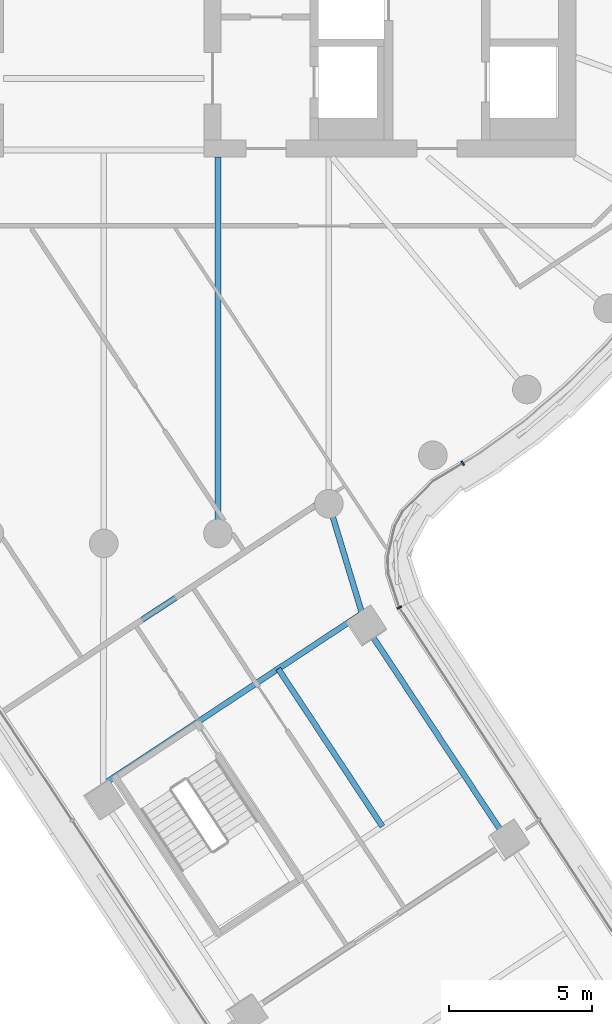
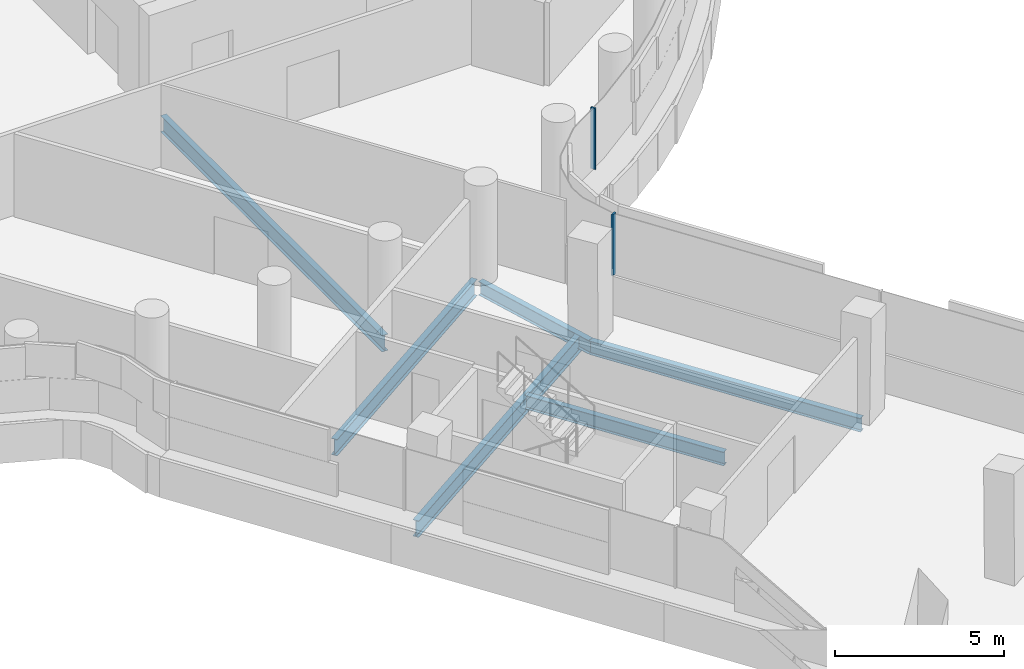
# One storey, part 7 of 35: 6 beams, 2 members, 1 element without a shape of its own.
"""IFC4 building model written with IfcOpenShell, lengths in metres."""

from ifc_helpers import new_model, si_unit, direction, frame, origin, origin_2d, place, context, subcontext, project, spatial, rectangle, i_section, extrude, material, layer, layer_set, material_profile, profile_set, type_object, element, aggregate, save


model = new_model("IFC4")

# Units and contexts
model_context = context("Model", 3, precision=1e-05, world=origin(), true_north=direction((0.0, 1.0)))
body_context = subcontext(model_context, "Body", "Model", "MODEL_VIEW")
ifc_project = project(units=[si_unit("LENGTHUNIT", "METRE"), si_unit("AREAUNIT", "SQUARE_METRE"), si_unit("VOLUMEUNIT", "CUBIC_METRE"), si_unit("PLANEANGLEUNIT", "RADIAN"), si_unit("MASSUNIT", "GRAM", prefix="KILO")], contexts=[model_context])

# Site, building, storey
site_placement = place(None, origin())
site = spatial("IfcSite", under=ifc_project, at=site_placement, CompositionType="ELEMENT")
building_placement = place(site_placement, origin())
building = spatial("IfcBuilding", under=site, at=building_placement, Name="Tamarind Cross Interchange Tower", CompositionType="ELEMENT")
storey_placement = place(building_placement, frame((0.0, 0.0, 155.5)))
storey = spatial("IfcBuildingStorey", under=building, at=storey_placement, Name="L38", CompositionType="ELEMENT", Elevation=155.5)

# Beams
ifc_material_1 = material(Name="Steel Q355B", Category="steel")
ifc_material_profile_1 = material_profile(ifc_material_1, i_section(OverallWidth=0.198974609375, OverallDepth=0.49609375, WebThickness=0.009033203125, FlangeThickness=0.013916015625, FilletRadius=0.012939453125, at=origin_2d()), Name="HN 496x199x9x14")
ifc_profile_set_1 = profile_set([ifc_material_profile_1], Name="Steel Q355B")
beam_type_1 = type_object("IfcBeamType", Name="Composite beam HN 496x199x9x14 Q355B", PredefinedType="BEAM", material=ifc_profile_set_1)
beam_1_placement = place(storey_placement, frame((14.12158203125, -33.406982421875, -0.387939453125), z_axis=(-0.550969936859, 0.8345250917, 0.0), x_axis=(-0.8345250917, -0.550969936859, 0.0)))
element("IfcBeam", 1, at=beam_1_placement, inside=storey, type_object=beam_type_1, Name="Beam S-edgeep3", PredefinedType="BEAM", context=body_context, shape_type="SweptSolid", body=[
    extrude(i_section(OverallWidth=0.198974609375, OverallDepth=0.49609375, WebThickness=0.009033203125, FlangeThickness=0.013916015625, FilletRadius=0.012939453125, at=origin_2d()), origin(), (0.0, 0.0, 1.0), 9.0),
])
beam_2_placement = place(storey_placement, frame((9.162841796875, -25.896240234375, -0.387939453125), z_axis=(-0.28968940684, 0.957120706894, 0.0), x_axis=(-0.957120706894, -0.28968940684, 0.0)))
element("IfcBeam", 2, at=beam_2_placement, inside=storey, type_object=beam_type_1, Name="Beam S-linkep", PredefinedType="BEAM", context=body_context, shape_type="SweptSolid", body=[
    extrude(i_section(OverallWidth=0.198974609375, OverallDepth=0.49609375, WebThickness=0.009033203125, FlangeThickness=0.013916015625, FilletRadius=0.012939453125, at=origin_2d()), origin(), (0.0, 0.0, 1.0), 4.47509765625),
])
beam_3_placement = place(storey_placement, frame((6.098388671875, -27.380126953125, -0.387939453125), z_axis=(0.550964333984, -0.834528790802, 0.0), x_axis=(0.834528790802, 0.550964333984, 0.0)))
element("IfcBeam", 3, at=beam_3_placement, inside=storey, type_object=beam_type_1, Name="Beam S-stripp", PredefinedType="BEAM", context=body_context, shape_type="SweptSolid", body=[
    extrude(i_section(OverallWidth=0.198974609375, OverallDepth=0.49609375, WebThickness=0.009033203125, FlangeThickness=0.013916015625, FilletRadius=0.012939453125, at=origin_2d()), origin(), (0.0, 0.0, 1.0), 6.60009765625),
])
ifc_material_profile_2 = material_profile(ifc_material_1, i_section(OverallWidth=0.198974609375, OverallDepth=0.595947265625, WebThickness=0.010009765625, FlangeThickness=0.014892578125, FilletRadius=0.012939453125, at=origin_2d()), Name="HN 596x199x10x15")
ifc_profile_set_2 = profile_set([ifc_material_profile_2], Name="Steel Q355B")
beam_type_2 = type_object("IfcBeamType", Name="Composite beam HN 596x199x10x15 Q355B", PredefinedType="BEAM", material=ifc_profile_set_2)
beam_4_placement = place(storey_placement, frame((3.993896484375, -22.650634765625, -0.43798828125), z_axis=(0.0, 1.0, 0.0), x_axis=(-1.0, 0.0, 0.0)))
element("IfcBeam", 4, at=beam_4_placement, inside=storey, type_object=beam_type_2, Name="Beam HH28", PredefinedType="BEAM", context=body_context, shape_type="SweptSolid", body=[
    extrude(i_section(OverallWidth=0.198974609375, OverallDepth=0.595947265625, WebThickness=0.010009765625, FlangeThickness=0.014892578125, FilletRadius=0.012939453125, at=origin_2d()), origin(), (0.0, 0.0, 1.0), 13.150634765625),
])
ifc_material_profile_3 = material_profile(ifc_material_1, i_section(OverallWidth=0.199951171875, OverallDepth=0.60009765625, WebThickness=0.010986328125, FlangeThickness=0.01708984375, FilletRadius=0.012939453125, at=origin_2d()), Name="HN 600x200x11x17")
ifc_profile_set_3 = profile_set([ifc_material_profile_3], Name="Steel Q355B")
beam_type_3 = type_object("IfcBeamType", Name="Composite beam HN 600x200x11x17 Q355B", PredefinedType="BEAM", material=ifc_profile_set_3)
beam_5_placement = place(storey_placement, frame((-0.015869140625, -31.4169921875, -0.43994140625), z_axis=(0.834523836641, 0.550971837826, 0.0), x_axis=(-0.550971837826, 0.834523836641, 0.0)))
element("IfcBeam", 5, at=beam_5_placement, inside=storey, type_object=beam_type_3, Name="Beam S-x298", PredefinedType="BEAM", context=body_context, shape_type="SweptSolid", body=[
    extrude(i_section(OverallWidth=0.199951171875, OverallDepth=0.60009765625, WebThickness=0.010986328125, FlangeThickness=0.01708984375, FilletRadius=0.012939453125, at=origin_2d()), origin(), (0.0, 0.0, 1.0), 10.835693359375),
])
beam_6_placement = place(storey_placement, frame((-0.006591796875, -26.557861328125, -0.43994140625), z_axis=(0.83452317471, 0.550972840412, 0.0), x_axis=(-0.550972840412, 0.83452317471, 0.0)))
element("IfcBeam", 6, at=beam_6_placement, inside=storey, type_object=beam_type_3, Name="Beam S-x258", PredefinedType="BEAM", context=body_context, shape_type="SweptSolid", body=[
    extrude(i_section(OverallWidth=0.199951171875, OverallDepth=0.60009765625, WebThickness=0.010986328125, FlangeThickness=0.01708984375, FilletRadius=0.012939453125, at=origin_2d()), origin(), (0.0, 0.0, 1.0), 9.294677734375),
])

# Curtain wall, members
ifc_material_2 = material(Name="Aluminium 6063-T6", Category="aluminium")
ifc_layer = layer(ifc_material_2, 0.159912109375)
ifc_layer_set = layer_set([ifc_layer], Name="Aluminium 6063-T6")
curtain_wall_type = type_object("IfcCurtainWallType", Name="Office curtain wall, 9.0 m bays", PredefinedType="NOTDEFINED", material=ifc_layer_set)
curtain_wall_placement = place(storey_placement, origin())
curtain_wall = element("IfcCurtainWall", 7, at=curtain_wall_placement, inside=storey, type_object=curtain_wall_type, Name="CWS-L38-10", PredefinedType="NOTDEFINED")
ifc_material_profile_4 = material_profile(ifc_material_2, rectangle(XDim=0.06005859375, YDim=0.159912109375, at=origin_2d()), Name="Mullion CW1")
ifc_profile_set_4 = profile_set([ifc_material_profile_4], Name="Aluminium 6063-T6")
member_type = type_object("IfcMemberType", Name="Mullion CW1", PredefinedType="MULLION", material=ifc_profile_set_4)
member_1_placement = place(storey_placement, frame((10.329345703125, -25.238037109375, 1.39990234375), z_axis=(0.0, 0.0, 1.0), x_axis=(-0.432938129817, 0.901423638336, 0.0)))
member_1 = element("IfcMember", 8, at=member_1_placement, type_object=member_type, Name="CWM-L38-10-00", PredefinedType="MULLION", context=body_context, shape_type="SweptSolid", body=[
    extrude(rectangle(XDim=0.06005859375, YDim=0.159912109375, at=origin_2d()), origin(), (0.0, 0.0, 1.0), 2.210205078125),
])
member_2_placement = place(storey_placement, frame((12.546142578125, -20.19873046875, 1.39990234375), z_axis=(0.0, 0.0, 1.0), x_axis=(0.856667033085, 0.5158697456, 0.0)))
member_2 = element("IfcMember", 9, at=member_2_placement, type_object=member_type, Name="CWM-L38-10-01", PredefinedType="MULLION", context=body_context, shape_type="SweptSolid", body=[
    extrude(rectangle(XDim=0.06005859375, YDim=0.159912109375, at=origin_2d()), origin(), (0.0, 0.0, 1.0), 2.210205078125),
])
aggregate(curtain_wall, [member_1, member_2])

save(model, "model.ifc")
